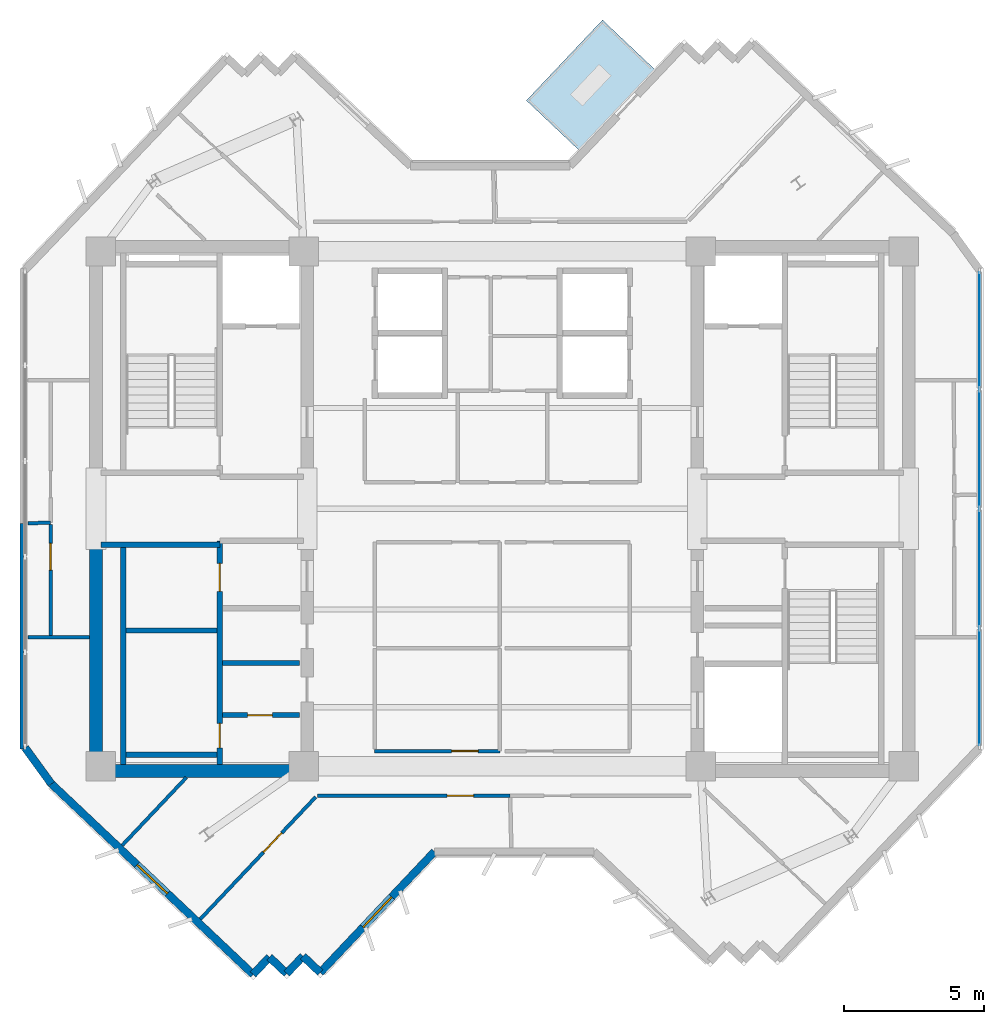
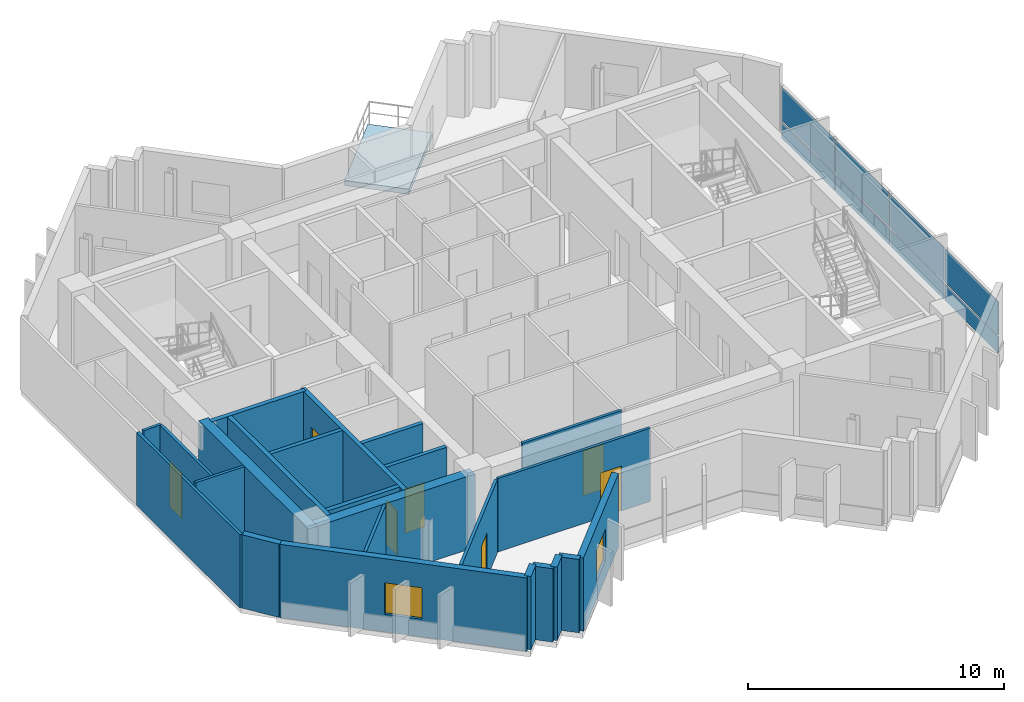
# One storey, part 3 of 9: 24 walls, 8 plates, 7 doors, 2 windows, 1 slab, 9 openings, 1 element without a shape of its own.
"""IFC4 building model written with IfcOpenShell, lengths in metres."""

from ifc_helpers import new_model, si_unit, direction, frame, frame_2d, origin, origin_2d, place, context, subcontext, project, spatial, polyline, rectangle, outline, extrude, source, transform, mapped, material, layer, layer_set, type_object, element, fill, aggregate, save


model = new_model("IFC4")

# Units and contexts
model_context = context("Model", 3, precision=1e-05, world=origin(), true_north=direction((0.0, 1.0)))
body_context = subcontext(model_context, "Body", "Model", "MODEL_VIEW")
ifc_project = project(units=[si_unit("LENGTHUNIT", "METRE"), si_unit("AREAUNIT", "SQUARE_METRE"), si_unit("VOLUMEUNIT", "CUBIC_METRE"), si_unit("PLANEANGLEUNIT", "RADIAN"), si_unit("MASSUNIT", "GRAM", prefix="KILO")], contexts=[model_context])

# Site, building, storey
site_placement = place(None, origin())
site = spatial("IfcSite", under=ifc_project, at=site_placement, CompositionType="ELEMENT")
building_placement = place(site_placement, origin())
building = spatial("IfcBuilding", under=site, at=building_placement, Name="Zahravan Cultural Tower", CompositionType="ELEMENT")
storey_placement = place(building_placement, frame((0.0, 0.0, 306.60009765625)))
storey = spatial("IfcBuildingStorey", under=building, at=storey_placement, Name="L74", CompositionType="ELEMENT", Elevation=306.60009765625)

# Slab
ifc_material_1 = material(Name="Concrete C40/50", Category="concrete")
ifc_layer_1 = layer(ifc_material_1, 0.239990234375)
ifc_layer_set_1 = layer_set([ifc_layer_1], Name="Concrete C40/50")
slab_type = type_object("IfcSlabType", Name="SL-TERR-240", PredefinedType="FLOOR", material=ifc_layer_set_1)
slab_placement = place(storey_placement, frame((0.0, 0.0, -0.239990234375)))
element("IfcSlab", 1, at=slab_placement, inside=storey, type_object=slab_type, Name="L74 Planted Sculpture Terrace NE", PredefinedType="FLOOR", context=body_context, shape_type="SweptSolid", body=[
    extrude(outline(polyline([(36.861328125, 41.596435546875), (38.747314453125, 39.814208984375), (41.46728515625, 42.692138671875), (39.581298828125, 44.474609375), (36.861328125, 41.596435546875)])), origin(), (0.0, 0.0, 1.0), 0.239990234375),
])

# Curtain wall, plates
ifc_material_2 = material(Name="Anodised bronze-aluminium mullion", Category="aluminium")
ifc_layer_2 = layer(ifc_material_2, 0.219970703125)
ifc_layer_set_2 = layer_set([ifc_layer_2], Name="Anodised bronze-aluminium mullion")
curtain_wall_type = type_object("IfcCurtainWallType", Name="CW-SYS-1", PredefinedType="USERDEFINED", material=ifc_layer_set_2)
curtain_wall_placement = place(storey_placement, origin())
curtain_wall = element("IfcCurtainWall", 2, at=curtain_wall_placement, inside=storey, type_object=curtain_wall_type, Name="L74 Recessed Curtain Wall CW-1.1", ObjectType="RECESSED GLAZING", PredefinedType="USERDEFINED")
ifc_material_3 = material(Name="Low-E solar-control double glazing", Category="glass")
ifc_layer_3 = layer(ifc_material_3, 0.031982421875)
ifc_layer_set_3 = layer_set([ifc_layer_3], Name="Low-E solar-control double glazing")
plate_type = type_object("IfcPlateType", Name="CWP-CW-1", PredefinedType="CURTAIN_PANEL", material=ifc_layer_set_3)
shared_shape_1 = source(origin(), body_context, "Body", "SweptSolid", [
    extrude(rectangle(XDim=4.15087890625, YDim=0.031982421875, at=origin_2d()), origin(), (0.0, 0.0, 1.0), 0.780029296875),
])
plate_1_placement = place(storey_placement, frame((53.06005859375, 33.386474609375, 0.080078125), z_axis=(0.0, 0.0, 1.0), x_axis=(0.0, -1.0, 0.0)))
plate_1 = element("IfcPlate", 3, at=plate_1_placement, type_object=plate_type, Name="CW-1 panel 1.1", PredefinedType="CURTAIN_PANEL", context=body_context, shape_type="MappedRepresentation", body=[
    mapped(shared_shape_1, transform((0.0, 0.0, 0.0), x_axis=(1.0, 0.0, 0.0), y_axis=(0.0, 1.0, 0.0), z_axis=(0.0, 0.0, 1.0), scale=1.0)),
])
plate_2_placement = place(storey_placement, frame((53.06005859375, 20.613525390625, 0.080078125), z_axis=(0.0, 0.0, 1.0), x_axis=(0.0, -1.0, 0.0)))
plate_2 = element("IfcPlate", 4, at=plate_2_placement, type_object=plate_type, Name="CW-1 panel 4.1", PredefinedType="CURTAIN_PANEL", context=body_context, shape_type="MappedRepresentation", body=[
    mapped(shared_shape_1, transform((0.0, 0.0, 0.0), x_axis=(1.0, 0.0, 0.0), y_axis=(0.0, 1.0, 0.0), z_axis=(0.0, 0.0, 1.0), scale=1.0)),
])
shared_shape_2 = source(origin(), body_context, "Body", "SweptSolid", [
    extrude(rectangle(XDim=4.15087890625, YDim=0.031982421875, at=origin_2d()), origin(), (0.0, 0.0, 1.0), 1.60009765625),
])
plate_3_placement = place(storey_placement, frame((53.06005859375, 33.386474609375, 0.93994140625), z_axis=(0.0, 0.0, 1.0), x_axis=(0.0, -1.0, 0.0)))
plate_3 = element("IfcPlate", 5, at=plate_3_placement, type_object=plate_type, Name="CW-1 panel 1.2", PredefinedType="CURTAIN_PANEL", context=body_context, shape_type="MappedRepresentation", body=[
    mapped(shared_shape_2, transform((0.0, 0.0, 0.0), x_axis=(1.0, 0.0, 0.0), y_axis=(0.0, 1.0, 0.0), z_axis=(0.0, 0.0, 1.0), scale=1.0)),
])
plate_4_placement = place(storey_placement, frame((53.06005859375, 20.613525390625, 0.93994140625), z_axis=(0.0, 0.0, 1.0), x_axis=(0.0, -1.0, 0.0)))
plate_4 = element("IfcPlate", 6, at=plate_4_placement, type_object=plate_type, Name="CW-1 panel 4.2", PredefinedType="CURTAIN_PANEL", context=body_context, shape_type="MappedRepresentation", body=[
    mapped(shared_shape_2, transform((0.0, 0.0, 0.0), x_axis=(1.0, 0.0, 0.0), y_axis=(0.0, 1.0, 0.0), z_axis=(0.0, 0.0, 1.0), scale=1.0)),
])
shared_shape_3 = source(origin(), body_context, "Body", "SweptSolid", [
    extrude(rectangle(XDim=4.19091796875, YDim=0.031982421875, at=origin_2d()), origin(), (0.0, 0.0, 1.0), 0.780029296875),
])
plate_5_placement = place(storey_placement, frame((53.06005859375, 29.135498046875, 0.080078125), z_axis=(0.0, 0.0, 1.0), x_axis=(0.0, -1.0, 0.0)))
plate_5 = element("IfcPlate", 7, at=plate_5_placement, type_object=plate_type, Name="CW-1 panel 2.1", PredefinedType="CURTAIN_PANEL", context=body_context, shape_type="MappedRepresentation", body=[
    mapped(shared_shape_3, transform((0.0, 0.0, 0.0), x_axis=(1.0, 0.0, 0.0), y_axis=(0.0, 1.0, 0.0), z_axis=(0.0, 0.0, 1.0), scale=1.0)),
])
plate_6_placement = place(storey_placement, frame((53.06005859375, 24.864501953125, 0.080078125), z_axis=(0.0, 0.0, 1.0), x_axis=(0.0, -1.0, 0.0)))
plate_6 = element("IfcPlate", 8, at=plate_6_placement, type_object=plate_type, Name="CW-1 panel 3.1", PredefinedType="CURTAIN_PANEL", context=body_context, shape_type="MappedRepresentation", body=[
    mapped(shared_shape_3, transform((0.0, 0.0, 0.0), x_axis=(1.0, 0.0, 0.0), y_axis=(0.0, 1.0, 0.0), z_axis=(0.0, 0.0, 1.0), scale=1.0)),
])
shared_shape_4 = source(origin(), body_context, "Body", "SweptSolid", [
    extrude(rectangle(XDim=4.19091796875, YDim=0.031982421875, at=origin_2d()), origin(), (0.0, 0.0, 1.0), 1.60009765625),
])
plate_7_placement = place(storey_placement, frame((53.06005859375, 29.135498046875, 0.93994140625), z_axis=(0.0, 0.0, 1.0), x_axis=(0.0, -1.0, 0.0)))
plate_7 = element("IfcPlate", 9, at=plate_7_placement, type_object=plate_type, Name="CW-1 panel 2.2", PredefinedType="CURTAIN_PANEL", context=body_context, shape_type="MappedRepresentation", body=[
    mapped(shared_shape_4, transform((0.0, 0.0, 0.0), x_axis=(1.0, 0.0, 0.0), y_axis=(0.0, 1.0, 0.0), z_axis=(0.0, 0.0, 1.0), scale=1.0)),
])
plate_8_placement = place(storey_placement, frame((53.06005859375, 24.864501953125, 0.93994140625), z_axis=(0.0, 0.0, 1.0), x_axis=(0.0, -1.0, 0.0)))
plate_8 = element("IfcPlate", 10, at=plate_8_placement, type_object=plate_type, Name="CW-1 panel 3.2", PredefinedType="CURTAIN_PANEL", context=body_context, shape_type="MappedRepresentation", body=[
    mapped(shared_shape_4, transform((0.0, 0.0, 0.0), x_axis=(1.0, 0.0, 0.0), y_axis=(0.0, 1.0, 0.0), z_axis=(0.0, 0.0, 1.0), scale=1.0)),
])
aggregate(curtain_wall, [plate_1, plate_3, plate_5, plate_7, plate_6, plate_8, plate_2, plate_4])

# Wall, opening, window
ifc_material_4 = material(Name="Precast concrete C40/50", Category="concrete")
ifc_layer_4 = layer(ifc_material_4, 0.280029296875)
ifc_layer_set_4 = layer_set([ifc_layer_4], Name="Precast concrete C40/50")
wall_type_1 = type_object("IfcWallType", Name="EW-TC-280", PredefinedType="SOLIDWALL", material=ifc_layer_set_4)
wall_1_placement = place(storey_placement, frame((33.576904296875, 14.739990234375, 0.0), z_axis=(0.0, 0.0, 1.0), x_axis=(-0.686888766374, -0.72676256276, 0.0)))
wall_1 = element("IfcWall", 11, at=wall_1_placement, inside=storey, type_object=wall_type_1, Name="L74 Exterior Masonry Frame Wall 15", PredefinedType="SOLIDWALL", context=body_context, shape_type="SweptSolid", body=[
    extrude(rectangle(XDim=5.9453125, YDim=0.280029296875, at=frame_2d((2.97265625, 0.0))), origin(), (0.0, 0.0, 1.0), 3.5),
])
opening_1_placement = place(wall_1_placement, frame((2.222900390625, 0.0, 0.85009765625)))
opening_1 = element("IfcOpeningElement", 12, at=opening_1_placement, cuts=wall_1, Name="Opening WN-03", PredefinedType="OPENING", context=body_context, shape_type="SweptSolid", body=[
    extrude(rectangle(XDim=1.5, YDim=1.5, at=frame_2d((0.75, 0.75))), frame((0.0, 0.14990234375, 0.0), z_axis=(0.0, -1.0, 0.0), x_axis=(1.0, 0.0, 0.0)), (0.0, 0.0, 1.0), 0.300048828125),
])
window_type = type_object("IfcWindowType", Name="WN-REC-1500X1500", PartitioningType="SINGLE_PANEL", PredefinedType="WINDOW", material=ifc_material_3)
shared_shape_5 = source(origin(), body_context, "Body", "SweptSolid", [
    extrude(rectangle(XDim=1.5, YDim=1.5, at=frame_2d((0.75, 0.75))), frame((0.0, 0.030029296875, 0.0), z_axis=(0.0, -1.0, 0.0), x_axis=(1.0, 0.0, 0.0)), (0.0, 0.0, 1.0), 0.06005859375),
])
window_1_placement = place(opening_1_placement, origin())
window_1 = element("IfcWindow", 13, at=window_1_placement, inside=storey, type_object=window_type, Name="L74 Recessed Solar Window 03", OverallHeight=1.5, OverallWidth=1.5, PartitioningType="SINGLE_PANEL", PredefinedType="WINDOW", context=body_context, shape_type="MappedRepresentation", body=[
    mapped(shared_shape_5, transform((0.0, 0.0, 0.0), x_axis=(1.0, 0.0, 0.0), y_axis=(0.0, 1.0, 0.0), z_axis=(0.0, 0.0, 1.0), scale=1.0)),
])
fill(opening_1, window_1)

wall_2_placement = place(storey_placement, frame((27.08984375, 10.351318359375, 0.0), z_axis=(0.0, 0.0, 1.0), x_axis=(-0.726772856404, 0.686877875022, 0.0)))
wall_2 = element("IfcWall", 14, at=wall_2_placement, inside=storey, type_object=wall_type_1, Name="L74 Exterior Masonry Frame Wall 20", PredefinedType="SOLIDWALL", context=body_context, shape_type="SweptSolid", body=[
    extrude(rectangle(XDim=9.919921875, YDim=0.280029296875, at=frame_2d((4.9599609375, 0.0))), origin(), (0.0, 0.0, 1.0), 3.5),
])
opening_2_placement = place(wall_2_placement, frame((4.2099609375, 0.0, 0.85009765625)))
opening_2 = element("IfcOpeningElement", 15, at=opening_2_placement, cuts=wall_2, Name="Opening WN-03", PredefinedType="OPENING", context=body_context, shape_type="SweptSolid", body=[
    extrude(rectangle(XDim=1.5, YDim=1.5, at=frame_2d((0.75, 0.75))), frame((0.0, 0.14990234375, 0.0), z_axis=(0.0, -1.0, 0.0), x_axis=(1.0, 0.0, 0.0)), (0.0, 0.0, 1.0), 0.300048828125),
])
window_2_placement = place(opening_2_placement, origin())
window_2 = element("IfcWindow", 16, at=window_2_placement, inside=storey, type_object=window_type, Name="L74 Recessed Solar Window 04", OverallHeight=1.5, OverallWidth=1.5, PartitioningType="SINGLE_PANEL", PredefinedType="WINDOW", context=body_context, shape_type="MappedRepresentation", body=[
    mapped(shared_shape_5, transform((0.0, 0.0, 0.0), x_axis=(1.0, 0.0, 0.0), y_axis=(0.0, 1.0, 0.0), z_axis=(0.0, 0.0, 1.0), scale=1.0)),
])
fill(opening_2, window_2)

# Wall, opening, door
ifc_material_5 = material(Name="Gypsum plasterboard partition")
ifc_layer_5 = layer(ifc_material_5, 0.179931640625)
ifc_layer_set_5 = layer_set([ifc_layer_5], Name="Gypsum plasterboard partition")
wall_type_2 = type_object("IfcWallType", Name="W-COMP-180", PredefinedType="PARTITIONING", material=ifc_layer_set_5)
wall_3_placement = place(storey_placement, frame((26.0, 19.6201171875, 0.0), z_axis=(0.0, 0.0, 1.0), x_axis=(1.0, 0.0, 0.0)))
wall_3 = element("IfcWall", 17, at=wall_3_placement, inside=storey, type_object=wall_type_2, Name="L74 Interior Wall 027", PredefinedType="PARTITIONING", context=body_context, shape_type="SweptSolid", body=[
    extrude(rectangle(XDim=2.75, YDim=0.179931640625, at=frame_2d((1.375, 0.0))), origin(), (0.0, 0.0, 1.0), 3.5),
])
opening_3_placement = place(wall_3_placement, frame((0.89990234375, 0.0, 0.0)))
opening_3 = element("IfcOpeningElement", 18, at=opening_3_placement, cuts=wall_3, Name="Opening D-L74-10", PredefinedType="OPENING", context=body_context, shape_type="SweptSolid", body=[
    extrude(rectangle(XDim=0.8798828125, YDim=2.10009765625, at=frame_2d((0.43994140625, 1.050048828125))), frame((0.0, 0.099853515625, 0.0), z_axis=(0.0, -1.0, 0.0), x_axis=(1.0, 0.0, 0.0)), (0.0, 0.0, 1.0), 0.199951171875),
])
ifc_material_6 = material(Name="Steel ASTM A572 Grade 50", Category="steel")
door_type_1 = type_object("IfcDoorType", Name="DR-SVC-880", OperationType="NOTDEFINED", PredefinedType="DOOR", material=ifc_material_6)
shared_shape_6 = source(origin(), body_context, "Body", "SweptSolid", [
    extrude(rectangle(XDim=0.8798828125, YDim=2.10009765625, at=frame_2d((0.43994140625, 1.050048828125))), frame((0.0, 0.02490234375, 0.0), z_axis=(0.0, -1.0, 0.0), x_axis=(1.0, 0.0, 0.0)), (0.0, 0.0, 1.0), 0.050048828125),
])
door_1_placement = place(opening_3_placement, origin())
door_1 = element("IfcDoor", 19, at=door_1_placement, inside=storey, type_object=door_type_1, Name="L74 Door D-L74-10", OperationType="SINGLE_SWING_LEFT", OverallHeight=2.10009765625, OverallWidth=0.8798828125, PredefinedType="DOOR", context=body_context, shape_type="MappedRepresentation", body=[
    mapped(shared_shape_6, transform((0.0, 0.0, 0.0), x_axis=(1.0, 0.0, 0.0), y_axis=(0.0, 1.0, 0.0), z_axis=(0.0, 0.0, 1.0), scale=1.0)),
])
fill(opening_3, door_1)

ifc_layer_6 = layer(ifc_material_5, 0.125)
ifc_layer_set_6 = layer_set([ifc_layer_6], Name="Gypsum plasterboard partition")
wall_type_3 = type_object("IfcWallType", Name="W-PART-125", PredefinedType="PARTITIONING", material=ifc_layer_set_6)
wall_4_placement = place(storey_placement, frame((35.909912109375, 18.340087890625, 0.0), z_axis=(0.0, 0.0, 1.0), x_axis=(-1.0, 0.0, 0.0)))
wall_4 = element("IfcWall", 20, at=wall_4_placement, inside=storey, type_object=wall_type_3, Name="L74 Interior Wall 062", PredefinedType="PARTITIONING", context=body_context, shape_type="SweptSolid", body=[
    extrude(rectangle(XDim=4.469970703125, YDim=0.125, at=frame_2d((2.23486328125, 0.0))), origin(), (0.0, 0.0, 1.0), 3.5),
])
opening_4_placement = place(wall_4_placement, frame((0.7744140625, 0.0, 0.0)))
opening_4 = element("IfcOpeningElement", 21, at=opening_4_placement, cuts=wall_4, Name="Opening D-L74-14", PredefinedType="OPENING", context=body_context, shape_type="SweptSolid", body=[
    extrude(rectangle(XDim=0.949951171875, YDim=2.14990234375, at=frame_2d((0.47509765625, 1.074951171875))), frame((0.0, 0.072509765625, 0.0), z_axis=(0.0, -1.0, 0.0), x_axis=(1.0, 0.0, 0.0)), (0.0, 0.0, 1.0), 0.14501953125),
])
door_type_2 = type_object("IfcDoorType", Name="DR-ROOM-950", OperationType="NOTDEFINED", PredefinedType="DOOR", material=ifc_material_2)
shared_shape_7 = source(origin(), body_context, "Body", "SweptSolid", [
    extrude(rectangle(XDim=0.949951171875, YDim=2.14990234375, at=frame_2d((0.47509765625, 1.074951171875))), frame((0.0, 0.02490234375, 0.0), z_axis=(0.0, -1.0, 0.0), x_axis=(1.0, 0.0, 0.0)), (0.0, 0.0, 1.0), 0.050048828125),
])
door_2_placement = place(opening_4_placement, origin())
door_2 = element("IfcDoor", 22, at=door_2_placement, inside=storey, type_object=door_type_2, Name="L74 Door D-L74-14", OperationType="SINGLE_SWING_LEFT", OverallHeight=2.14990234375, OverallWidth=0.949951171875, PredefinedType="DOOR", context=body_context, shape_type="MappedRepresentation", body=[
    mapped(shared_shape_7, transform((0.0, 0.0, 0.0), x_axis=(1.0, 0.0, 0.0), y_axis=(0.0, 1.0, 0.0), z_axis=(0.0, 0.0, 1.0), scale=1.0)),
])
fill(opening_4, door_2)

wall_5_placement = place(storey_placement, frame((29.32763671875, 16.693603515625, 0.0), z_axis=(0.0, 0.0, 1.0), x_axis=(-0.686871949206, -0.726778456886, 0.0)))
wall_5 = element("IfcWall", 23, at=wall_5_placement, inside=storey, type_object=wall_type_3, Name="L74 Interior Wall 084", PredefinedType="PARTITIONING", context=body_context, shape_type="SweptSolid", body=[
    extrude(rectangle(XDim=6.00146484375, YDim=0.125, at=frame_2d((3.000732421875, 0.0))), origin(), (0.0, 0.0, 1.0), 3.5),
])
opening_5_placement = place(wall_5_placement, frame((1.76806640625, 0.0, 0.0)))
opening_5 = element("IfcOpeningElement", 24, at=opening_5_placement, cuts=wall_5, Name="Opening D-L74-34", PredefinedType="OPENING", context=body_context, shape_type="SweptSolid", body=[
    extrude(rectangle(XDim=0.949951171875, YDim=2.14990234375, at=frame_2d((0.47509765625, 1.074951171875))), frame((0.0, 0.072509765625, 0.0), z_axis=(0.0, -1.0, 0.0), x_axis=(1.0, 0.0, 0.0)), (0.0, 0.0, 1.0), 0.14501953125),
])
door_3_placement = place(opening_5_placement, origin())
door_3 = element("IfcDoor", 25, at=door_3_placement, inside=storey, type_object=door_type_2, Name="L74 Door D-L74-34", OperationType="SINGLE_SWING_LEFT", OverallHeight=2.14990234375, OverallWidth=0.949951171875, PredefinedType="DOOR", context=body_context, shape_type="MappedRepresentation", body=[
    mapped(shared_shape_7, transform((0.0, 0.0, 0.0), x_axis=(1.0, 0.0, 0.0), y_axis=(0.0, 1.0, 0.0), z_axis=(0.0, 0.0, 1.0), scale=1.0)),
])
fill(opening_5, door_3)

wall_6_placement = place(storey_placement, frame((19.85009765625, 26.43896484375, 0.0), z_axis=(0.0, 0.0, 1.0), x_axis=(0.000241837961, -0.999999970757, 0.0)))
wall_6 = element("IfcWall", 26, at=wall_6_placement, inside=storey, type_object=wall_type_3, Name="L74 Interior Wall 085", PredefinedType="PARTITIONING", context=body_context, shape_type="SweptSolid", body=[
    extrude(rectangle(XDim=4.0380859375, YDim=0.125, at=frame_2d((2.01904296875, 0.0))), origin(), (0.0, 0.0, 1.0), 3.5),
])
opening_6_placement = place(wall_6_placement, frame((0.679443359375, 0.0, 0.0)))
opening_6 = element("IfcOpeningElement", 27, at=opening_6_placement, cuts=wall_6, Name="Opening D-L74-27", PredefinedType="OPENING", context=body_context, shape_type="SweptSolid", body=[
    extrude(rectangle(XDim=0.949951171875, YDim=2.14990234375, at=frame_2d((0.47509765625, 1.074951171875))), frame((0.0, 0.072509765625, 0.0), z_axis=(0.0, -1.0, 0.0), x_axis=(1.0, 0.0, 0.0)), (0.0, 0.0, 1.0), 0.14501953125),
])
door_4_placement = place(opening_6_placement, origin())
door_4 = element("IfcDoor", 28, at=door_4_placement, inside=storey, type_object=door_type_2, Name="L74 Door D-L74-27", OperationType="SINGLE_SWING_RIGHT", OverallHeight=2.14990234375, OverallWidth=0.949951171875, PredefinedType="DOOR", context=body_context, shape_type="MappedRepresentation", body=[
    mapped(shared_shape_7, transform((0.0, 0.0, 0.0), x_axis=(1.0, 0.0, 0.0), y_axis=(0.0, 1.0, 0.0), z_axis=(0.0, 0.0, 1.0), scale=1.0)),
])
fill(opening_6, door_4)

wall_7_placement = place(storey_placement, frame((29.399169921875, 16.739990234375, 0.0), z_axis=(0.0, 0.0, 1.0), x_axis=(1.0, 0.0, 0.0)))
wall_7 = element("IfcWall", 29, at=wall_7_placement, inside=storey, type_object=wall_type_3, Name="L74 Interior Wall 095", PredefinedType="PARTITIONING", context=body_context, shape_type="SweptSolid", body=[
    extrude(rectangle(XDim=6.880615234375, YDim=0.125, at=frame_2d((3.4404296875, 0.0))), origin(), (0.0, 0.0, 1.0), 3.5),
])
opening_7_placement = place(wall_7_placement, frame((4.6259765625, 0.0, 0.0)))
opening_7 = element("IfcOpeningElement", 30, at=opening_7_placement, cuts=wall_7, Name="Opening D-L74-28", PredefinedType="OPENING", context=body_context, shape_type="SweptSolid", body=[
    extrude(rectangle(XDim=0.949951171875, YDim=2.14990234375, at=frame_2d((0.47509765625, 1.074951171875))), frame((0.0, 0.072509765625, 0.0), z_axis=(0.0, -1.0, 0.0), x_axis=(1.0, 0.0, 0.0)), (0.0, 0.0, 1.0), 0.14501953125),
])
door_5_placement = place(opening_7_placement, origin())
door_5 = element("IfcDoor", 31, at=door_5_placement, inside=storey, type_object=door_type_2, Name="L74 Door D-L74-28", OperationType="SINGLE_SWING_LEFT", OverallHeight=2.14990234375, OverallWidth=0.949951171875, PredefinedType="DOOR", context=body_context, shape_type="MappedRepresentation", body=[
    mapped(shared_shape_7, transform((0.0, 0.0, 0.0), x_axis=(1.0, 0.0, 0.0), y_axis=(0.0, 1.0, 0.0), z_axis=(0.0, 0.0, 1.0), scale=1.0)),
])
fill(opening_7, door_5)

# Wall, openings, doors
ifc_material_7 = material(Name="Concrete C45/55", Category="concrete")
ifc_layer_7 = layer(ifc_material_7, 0.199951171875)
ifc_layer_set_7 = layer_set([ifc_layer_7], Name="Concrete C45/55")
wall_type_4 = type_object("IfcWallType", Name="W-SHAFT-200", PredefinedType="SOLIDWALL", material=ifc_layer_set_7)
wall_8_placement = place(storey_placement, frame((25.89990234375, 17.85009765625, 0.0), z_axis=(0.0, 0.0, 1.0), x_axis=(0.0, 1.0, 0.0)))
wall_8 = element("IfcWall", 32, at=wall_8_placement, inside=storey, type_object=wall_type_4, Name="L74 Interior Wall 005", PredefinedType="SOLIDWALL", context=body_context, shape_type="SweptSolid", body=[
    extrude(rectangle(XDim=8.0, YDim=0.199951171875, at=frame_2d((4.0, 0.0))), origin(), (0.0, 0.0, 1.0), 3.5),
])
opening_8_placement = place(wall_8_placement, frame((6.199951171875, 0.0, 0.0)))
opening_8 = element("IfcOpeningElement", 33, at=opening_8_placement, cuts=wall_8, Name="Opening D-L74-04", PredefinedType="OPENING", context=body_context, shape_type="SweptSolid", body=[
    extrude(rectangle(XDim=1.0, YDim=2.14990234375, at=frame_2d((0.5, 1.074951171875))), frame((0.0, 0.10986328125, 0.0), z_axis=(0.0, -1.0, 0.0), x_axis=(1.0, 0.0, 0.0)), (0.0, 0.0, 1.0), 0.219970703125),
])
opening_9_placement = place(wall_8_placement, frame((0.60009765625, 0.0, 0.0)))
opening_9 = element("IfcOpeningElement", 34, at=opening_9_placement, cuts=wall_8, Name="Opening D-L74-05", PredefinedType="OPENING", context=body_context, shape_type="SweptSolid", body=[
    extrude(rectangle(XDim=0.8798828125, YDim=2.10009765625, at=frame_2d((0.43994140625, 1.050048828125))), frame((0.0, 0.10986328125, 0.0), z_axis=(0.0, -1.0, 0.0), x_axis=(1.0, 0.0, 0.0)), (0.0, 0.0, 1.0), 0.219970703125),
])
door_6_placement = place(opening_9_placement, origin())
door_6 = element("IfcDoor", 35, at=door_6_placement, inside=storey, type_object=door_type_1, Name="L74 Door D-L74-05", OperationType="SINGLE_SWING_RIGHT", OverallHeight=2.10009765625, OverallWidth=0.8798828125, PredefinedType="DOOR", context=body_context, shape_type="MappedRepresentation", body=[
    mapped(shared_shape_6, transform((0.0, 0.0, 0.0), x_axis=(1.0, 0.0, 0.0), y_axis=(0.0, 1.0, 0.0), z_axis=(0.0, 0.0, 1.0), scale=1.0)),
])
fill(opening_9, door_6)
door_type_3 = type_object("IfcDoorType", Name="DR-COMP-1000", OperationType="NOTDEFINED", PredefinedType="DOOR", material=ifc_material_6)
shared_shape_8 = source(origin(), body_context, "Body", "SweptSolid", [
    extrude(rectangle(XDim=1.0, YDim=2.14990234375, at=frame_2d((0.5, 1.074951171875))), frame((0.0, 0.02490234375, 0.0), z_axis=(0.0, -1.0, 0.0), x_axis=(1.0, 0.0, 0.0)), (0.0, 0.0, 1.0), 0.050048828125),
])
door_7_placement = place(opening_8_placement, origin())
door_7 = element("IfcDoor", 36, at=door_7_placement, inside=storey, type_object=door_type_3, Name="L74 Door D-L74-04", OperationType="SINGLE_SWING_LEFT", OverallHeight=2.14990234375, OverallWidth=1.0, PredefinedType="DOOR", context=body_context, shape_type="MappedRepresentation", body=[
    mapped(shared_shape_8, transform((0.0, 0.0, 0.0), x_axis=(1.0, 0.0, 0.0), y_axis=(0.0, 1.0, 0.0), z_axis=(0.0, 0.0, 1.0), scale=1.0)),
])
fill(opening_8, door_7)

# Walls
ifc_material_8 = material(Name="Concrete C50/60", Category="concrete")
ifc_layer_8 = layer(ifc_material_8, 0.449951171875)
ifc_layer_set_8 = layer_set([ifc_layer_8], Name="Concrete C50/60")
wall_type_5 = type_object("IfcWallType", Name="CW-SHEAR-450-C50", PredefinedType="SHEAR", material=ifc_layer_set_8)
shared_shape_9 = source(origin(), body_context, "Body", "SweptSolid", [
    extrude(rectangle(XDim=8.550048828125, YDim=0.449951171875, at=frame_2d((4.27490234375, 0.0))), origin(), (0.0, 0.0, 1.0), 3.5),
])
wall_9_placement = place(storey_placement, frame((21.47509765625, 17.39990234375, 0.0), z_axis=(0.0, 0.0, 1.0), x_axis=(0.0, 1.0, 0.0)))
element("IfcWall", 37, at=wall_9_placement, inside=storey, type_object=wall_type_5, Name="L74 Core Shear Wall CW-W-WS-L74", PredefinedType="SHEAR", context=body_context, shape_type="MappedRepresentation", body=[
    mapped(shared_shape_9, transform((0.0, 0.0, 0.0), x_axis=(1.0, 0.0, 0.0), y_axis=(0.0, 1.0, 0.0), z_axis=(0.0, 0.0, 1.0), scale=1.0)),
])
shared_shape_10 = source(origin(), body_context, "Body", "SweptSolid", [
    extrude(rectangle(XDim=7.10009765625, YDim=0.449951171875, at=frame_2d((3.550048828125, 0.0))), origin(), (0.0, 0.0, 1.0), 3.5),
])
wall_10_placement = place(storey_placement, frame((21.699951171875, 17.625, 0.0), z_axis=(0.0, 0.0, 1.0), x_axis=(1.0, 0.0, 0.0)))
element("IfcWall", 38, at=wall_10_placement, inside=storey, type_object=wall_type_5, Name="L74 Core Shear Wall CW-W-S-L74", PredefinedType="SHEAR", context=body_context, shape_type="MappedRepresentation", body=[
    mapped(shared_shape_10, transform((0.0, 0.0, 0.0), x_axis=(1.0, 0.0, 0.0), y_axis=(0.0, 1.0, 0.0), z_axis=(0.0, 0.0, 1.0), scale=1.0)),
])
shared_shape_11 = source(origin(), body_context, "Body", "SweptSolid", [
    extrude(rectangle(XDim=0.85009765625, YDim=0.280029296875, at=frame_2d((0.425048828125, 0.0))), origin(), (0.0, 0.0, 1.0), 3.5),
])
for number, where, z_axis, x_axis, name in (
    (39, (28.87548828125, 11.0029296875, 0.0), (0.0, 0.0, 1.0), (-0.687011382404, -0.726646654466, 0.0), "L74 Exterior Masonry Frame Wall 17"),
    (40, (27.673828125, 10.968994140625, 0.0), (0.0, 0.0, 1.0), (-0.687011382404, -0.726646654466, 0.0), "L74 Exterior Masonry Frame Wall 19"),
):
    element("IfcWall", number, at=place(storey_placement, frame(where, z_axis=z_axis, x_axis=x_axis)), inside=storey, type_object=wall_type_1, Name=name, PredefinedType="SOLIDWALL", context=body_context, shape_type="MappedRepresentation", body=[
        mapped(shared_shape_11, transform((0.0, 0.0, 0.0), x_axis=(1.0, 0.0, 0.0), y_axis=(0.0, 1.0, 0.0), z_axis=(0.0, 0.0, 1.0), scale=1.0)),
    ])
shared_shape_12 = source(origin(), body_context, "Body", "SweptSolid", [
    extrude(rectangle(XDim=0.849853515625, YDim=0.280029296875, at=frame_2d((0.4248046875, 0.0))), origin(), (0.0, 0.0, 1.0), 3.5),
])
for number, where, z_axis, x_axis, name in (
    (41, (29.4931640625, 10.419189453125, 0.0), (0.0, 0.0, 1.0), (-0.726790047388, 0.686859685101, 0.0), "L74 Exterior Masonry Frame Wall 16"),
    (42, (28.29150390625, 10.38525390625, 0.0), (0.0, 0.0, 1.0), (-0.726790047388, 0.686859685101, 0.0), "L74 Exterior Masonry Frame Wall 18"),
):
    element("IfcWall", number, at=place(storey_placement, frame(where, z_axis=z_axis, x_axis=x_axis)), inside=storey, type_object=wall_type_1, Name=name, PredefinedType="SOLIDWALL", context=body_context, shape_type="MappedRepresentation", body=[
        mapped(shared_shape_12, transform((0.0, 0.0, 0.0), x_axis=(1.0, 0.0, 0.0), y_axis=(0.0, 1.0, 0.0), z_axis=(0.0, 0.0, 1.0), scale=1.0)),
    ])
shared_shape_13 = source(origin(), body_context, "Body", "SweptSolid", [
    extrude(rectangle(XDim=1.598876953125, YDim=0.280029296875, at=frame_2d((0.79931640625, 0.0))), origin(), (0.0, 0.0, 1.0), 3.5),
])
wall_11_placement = place(storey_placement, frame((19.88037109375, 17.1650390625, 0.0), z_axis=(0.0, 0.0, 1.0), x_axis=(-0.58820801539, 0.808709670173, 0.0)))
element("IfcWall", 43, at=wall_11_placement, inside=storey, type_object=wall_type_1, Name="L74 Exterior Masonry Frame Wall 21", PredefinedType="SOLIDWALL", context=body_context, shape_type="MappedRepresentation", body=[
    mapped(shared_shape_13, transform((0.0, 0.0, 0.0), x_axis=(1.0, 0.0, 0.0), y_axis=(0.0, 1.0, 0.0), z_axis=(0.0, 0.0, 1.0), scale=1.0)),
])
shared_shape_14 = source(origin(), body_context, "Body", "SweptSolid", [
    extrude(rectangle(XDim=7.869873046875, YDim=0.199951171875, at=frame_2d((3.93505859375, 0.0))), origin(), (0.0, 0.0, 1.0), 3.5),
])
wall_12_placement = place(storey_placement, frame((22.449951171875, 17.85009765625, 0.0), z_axis=(0.0, 0.0, 1.0), x_axis=(0.0, 1.0, 0.0)))
element("IfcWall", 44, at=wall_12_placement, inside=storey, type_object=wall_type_4, Name="L74 Interior Wall 001", PredefinedType="SOLIDWALL", context=body_context, shape_type="MappedRepresentation", body=[
    mapped(shared_shape_14, transform((0.0, 0.0, 0.0), x_axis=(1.0, 0.0, 0.0), y_axis=(0.0, 1.0, 0.0), z_axis=(0.0, 0.0, 1.0), scale=1.0)),
])
shared_shape_15 = source(origin(), body_context, "Body", "SweptSolid", [
    extrude(rectangle(XDim=4.25, YDim=0.199951171875, at=frame_2d((2.125, 0.0))), origin(), (0.0, 0.0, 1.0), 3.5),
])
wall_13_placement = place(storey_placement, frame((21.64990234375, 25.715087890625, 0.0), z_axis=(0.0, 0.0, 1.0), x_axis=(1.0, 0.0, 0.0)))
element("IfcWall", 45, at=wall_13_placement, inside=storey, type_object=wall_type_4, Name="L74 Interior Wall 009", PredefinedType="SOLIDWALL", context=body_context, shape_type="MappedRepresentation", body=[
    mapped(shared_shape_15, transform((0.0, 0.0, 0.0), x_axis=(1.0, 0.0, 0.0), y_axis=(0.0, 1.0, 0.0), z_axis=(0.0, 0.0, 1.0), scale=1.0)),
])
shared_shape_16 = source(origin(), body_context, "Body", "SweptSolid", [
    extrude(rectangle(XDim=3.25, YDim=0.199951171875, at=frame_2d((1.625, 0.0))), origin(), (0.0, 0.0, 1.0), 3.5),
])
wall_14_placement = place(storey_placement, frame((22.550048828125, 18.199951171875, 0.0), z_axis=(0.0, 0.0, 1.0), x_axis=(1.0, 0.0, 0.0)))
element("IfcWall", 46, at=wall_14_placement, inside=storey, type_object=wall_type_4, Name="L74 Interior Wall 019", PredefinedType="SOLIDWALL", context=body_context, shape_type="MappedRepresentation", body=[
    mapped(shared_shape_16, transform((0.0, 0.0, 0.0), x_axis=(1.0, 0.0, 0.0), y_axis=(0.0, 1.0, 0.0), z_axis=(0.0, 0.0, 1.0), scale=1.0)),
])
shared_shape_17 = source(origin(), body_context, "Body", "SweptSolid", [
    extrude(rectangle(XDim=3.25, YDim=0.179931640625, at=frame_2d((1.625, 0.0))), origin(), (0.0, 0.0, 1.0), 3.5),
])
wall_15_placement = place(storey_placement, frame((22.550048828125, 22.64990234375, 0.0), z_axis=(0.0, 0.0, 1.0), x_axis=(1.0, 0.0, 0.0)))
element("IfcWall", 47, at=wall_15_placement, inside=storey, type_object=wall_type_2, Name="L74 Interior Wall 021", PredefinedType="PARTITIONING", context=body_context, shape_type="MappedRepresentation", body=[
    mapped(shared_shape_17, transform((0.0, 0.0, 0.0), x_axis=(1.0, 0.0, 0.0), y_axis=(0.0, 1.0, 0.0), z_axis=(0.0, 0.0, 1.0), scale=1.0)),
])
shared_shape_18 = source(origin(), body_context, "Body", "SweptSolid", [
    extrude(rectangle(XDim=2.75, YDim=0.179931640625, at=frame_2d((1.375, 0.0))), origin(), (0.0, 0.0, 1.0), 3.5),
])
wall_16_placement = place(storey_placement, frame((26.0, 21.47998046875, 0.0), z_axis=(0.0, 0.0, 1.0), x_axis=(1.0, 0.0, 0.0)))
element("IfcWall", 48, at=wall_16_placement, inside=storey, type_object=wall_type_2, Name="L74 Interior Wall 028", PredefinedType="PARTITIONING", context=body_context, shape_type="MappedRepresentation", body=[
    mapped(shared_shape_18, transform((0.0, 0.0, 0.0), x_axis=(1.0, 0.0, 0.0), y_axis=(0.0, 1.0, 0.0), z_axis=(0.0, 0.0, 1.0), scale=1.0)),
])
shared_shape_19 = source(origin(), body_context, "Body", "SweptSolid", [
    extrude(rectangle(XDim=2.205078125, YDim=0.125, at=frame_2d((1.1025390625, 0.0))), origin(), (0.0, 0.0, 1.0), 3.5),
])
wall_17_placement = place(storey_placement, frame((19.0400390625, 22.401611328125, 0.0), z_axis=(0.0, 0.0, 1.0), x_axis=(0.99999969967, -0.000775021911, 0.0)))
element("IfcWall", 49, at=wall_17_placement, inside=storey, type_object=wall_type_3, Name="L74 Interior Wall 086", PredefinedType="PARTITIONING", context=body_context, shape_type="MappedRepresentation", body=[
    mapped(shared_shape_19, transform((0.0, 0.0, 0.0), x_axis=(1.0, 0.0, 0.0), y_axis=(0.0, 1.0, 0.0), z_axis=(0.0, 0.0, 1.0), scale=1.0)),
])
shared_shape_20 = source(origin(), body_context, "Body", "SweptSolid", [
    extrude(rectangle(XDim=0.804443359375, YDim=0.125, at=frame_2d((0.40234375, 0.0))), origin(), (0.0, 0.0, 1.0), 3.5),
])
wall_18_placement = place(storey_placement, frame((19.848876953125, 26.506591796875, 0.0), z_axis=(0.0, 0.0, 1.0), x_axis=(-0.999452627665, -0.03308239794, 0.0)))
element("IfcWall", 50, at=wall_18_placement, inside=storey, type_object=wall_type_3, Name="L74 Interior Wall 079", PredefinedType="PARTITIONING", context=body_context, shape_type="MappedRepresentation", body=[
    mapped(shared_shape_20, transform((0.0, 0.0, 0.0), x_axis=(1.0, 0.0, 0.0), y_axis=(0.0, 1.0, 0.0), z_axis=(0.0, 0.0, 1.0), scale=1.0)),
])
shared_shape_21 = source(origin(), body_context, "Body", "SweptSolid", [
    extrude(rectangle(XDim=3.33740234375, YDim=0.125, at=frame_2d((1.668701171875, 0.0))), origin(), (0.0, 0.0, 1.0), 3.5),
])
wall_19_placement = place(storey_placement, frame((22.41455078125, 14.969482421875, 0.0), z_axis=(0.0, 0.0, 1.0), x_axis=(0.686891986515, 0.726759519278, 0.0)))
element("IfcWall", 51, at=wall_19_placement, inside=storey, type_object=wall_type_3, Name="L74 Interior Wall 083", PredefinedType="PARTITIONING", context=body_context, shape_type="MappedRepresentation", body=[
    mapped(shared_shape_21, transform((0.0, 0.0, 0.0), x_axis=(1.0, 0.0, 0.0), y_axis=(0.0, 1.0, 0.0), z_axis=(0.0, 0.0, 1.0), scale=1.0)),
])
shared_shape_22 = source(origin(), body_context, "Body", "SweptSolid", [
    extrude(rectangle(XDim=8.064453125, YDim=0.125, at=frame_2d((4.0322265625, 0.0))), origin(), (0.0, 0.0, 1.0), 3.5),
])
wall_20_placement = place(storey_placement, frame((18.820068359375, 18.408203125, 0.0), z_axis=(0.0, 0.0, 1.0), x_axis=(0.0, 1.0, 0.0)))
element("IfcWall", 52, at=wall_20_placement, inside=storey, type_object=wall_type_3, Name="L74 Interior Wall 087", PredefinedType="PARTITIONING", context=body_context, shape_type="MappedRepresentation", body=[
    mapped(shared_shape_22, transform((0.0, 0.0, 0.0), x_axis=(1.0, 0.0, 0.0), y_axis=(0.0, 1.0, 0.0), z_axis=(0.0, 0.0, 1.0), scale=1.0)),
])

save(model, "model.ifc")
